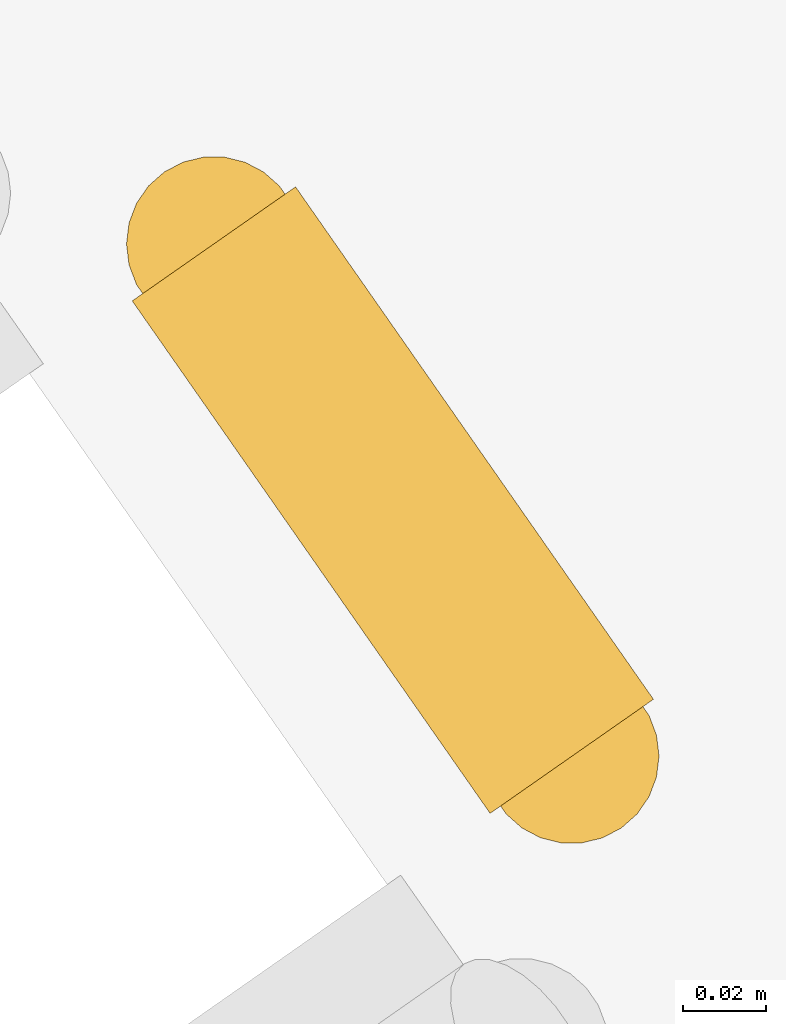
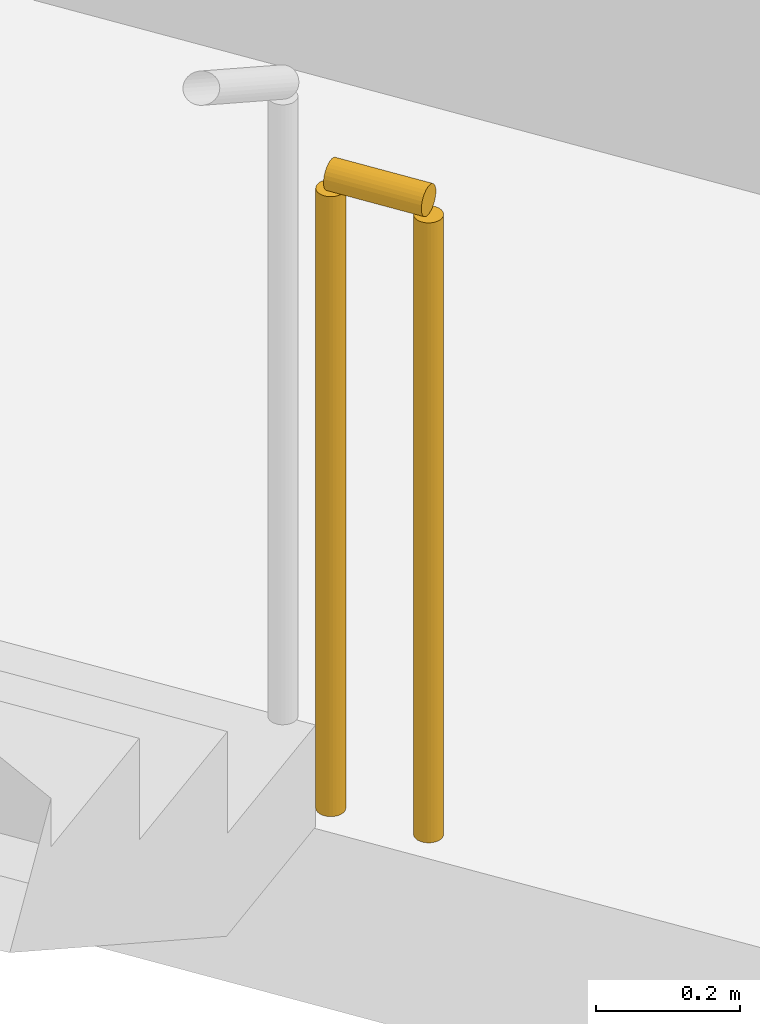
# One storey, part 31 of 33: 1 railing.
"""IFC4 building model written with IfcOpenShell, lengths in metres."""

from ifc_helpers import new_model, si_unit, direction, frame, origin, origin_2d, place, context, subcontext, project, spatial, circle, extrude, material, type_object, element, save


model = new_model("IFC4")

# Units and contexts
model_context = context("Model", 3, precision=1e-05, world=origin(), true_north=direction((0.0, 1.0)))
body_context = subcontext(model_context, "Body", "Model", "MODEL_VIEW")
ifc_project = project(units=[si_unit("LENGTHUNIT", "METRE"), si_unit("AREAUNIT", "SQUARE_METRE"), si_unit("VOLUMEUNIT", "CUBIC_METRE"), si_unit("PLANEANGLEUNIT", "RADIAN"), si_unit("MASSUNIT", "GRAM", prefix="KILO")], contexts=[model_context])

# Site, building, storey
site_placement = place(None, origin())
site = spatial("IfcSite", under=ifc_project, at=site_placement, CompositionType="ELEMENT")
building_placement = place(site_placement, origin())
building = spatial("IfcBuilding", under=site, at=building_placement, Name="Qamariyya Broadcast Tower", CompositionType="ELEMENT")
storey_placement = place(building_placement, frame((0.0, 0.0, 94.89990234375)))
storey = spatial("IfcBuildingStorey", under=building, at=storey_placement, Name="L20", CompositionType="ELEMENT", Elevation=94.89990234375)

# Railing
ifc_material = material(Name="Painted steel", Category="steel")
railing_type = type_object("IfcRailingType", Name="Stair guard", PredefinedType="GUARDRAIL", material=ifc_material)
railing_placement = place(storey_placement, frame((41.072998046875, -48.332275390625, 0.0)))
element("IfcRailing", 1, at=railing_placement, inside=storey, type_object=railing_type, Name="L20 ST-E2 stair guard 3", PredefinedType="GUARDRAIL", context=body_context, shape_type="SweptSolid", body=[
    extrude(circle(Radius=0.02392578125, at=origin_2d()), frame((0.0, 0.0, 1.076171875), z_axis=(0.572588637393, -0.819842821722, 0.0), x_axis=(0.819842821722, 0.572588637393, 0.0)), (0.0, 0.0, 1.0), 0.150146484375),
    extrude(circle(Radius=0.02099609375, at=origin_2d()), origin(), (0.0, 0.0, 1.0), 1.052001953125),
    extrude(circle(Radius=0.02099609375, at=origin_2d()), frame((0.0859375, -0.123046875, 0.0)), (0.0, 0.0, 1.0), 1.052001953125),
])

save(model, "model.ifc")
